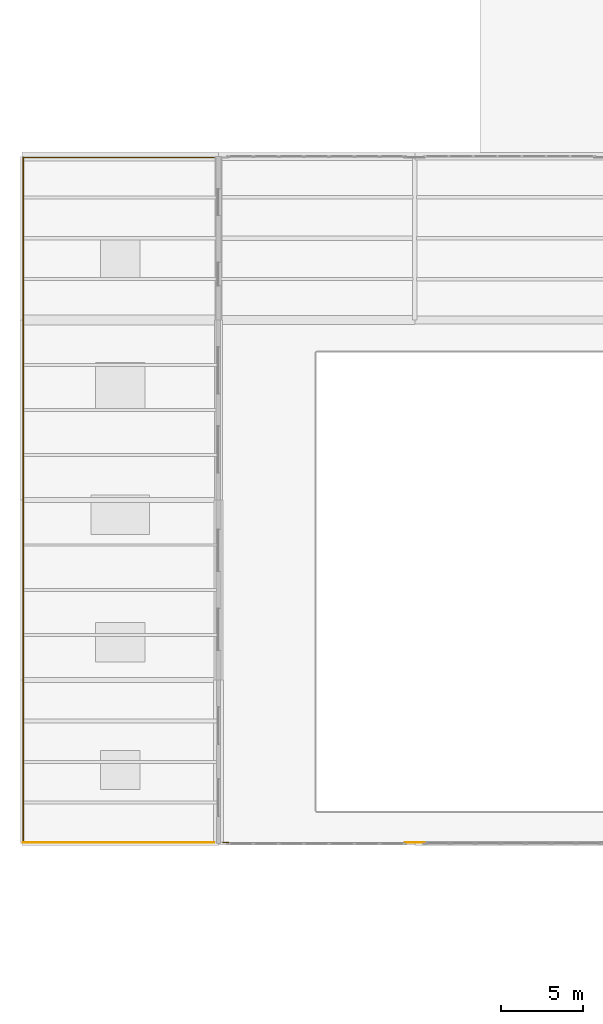
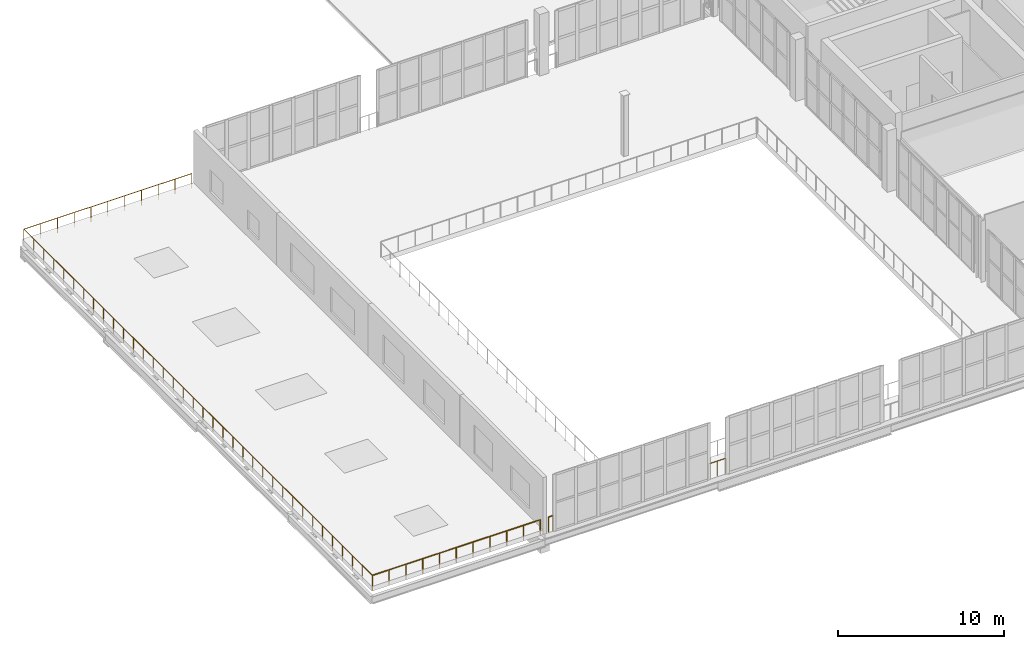
# One storey, part 74 of 90: 4 railings.
"""IFC4 building model written with IfcOpenShell, lengths in metres."""

from ifc_helpers import new_model, si_unit, direction, frame, origin, origin_2d, place, context, subcontext, project, spatial, circle, extrude, material, type_object, element, save


model = new_model("IFC4")

# Units and contexts
model_context = context("Model", 3, precision=1e-05, world=origin(), true_north=direction((0.0, 1.0)))
body_context = subcontext(model_context, "Body", "Model", "MODEL_VIEW")
ifc_project = project(units=[si_unit("LENGTHUNIT", "METRE"), si_unit("AREAUNIT", "SQUARE_METRE"), si_unit("VOLUMEUNIT", "CUBIC_METRE"), si_unit("PLANEANGLEUNIT", "RADIAN"), si_unit("MASSUNIT", "GRAM", prefix="KILO")], contexts=[model_context])

# Site, building, storey
site_placement = place(None, origin())
site = spatial("IfcSite", under=ifc_project, at=site_placement, CompositionType="ELEMENT")
building_placement = place(site_placement, origin())
building = spatial("IfcBuilding", under=site, at=building_placement, Name="Brinegate Civic Arena", CompositionType="ELEMENT")
storey_placement = place(building_placement, frame((0.0, 0.0, 14.699951171875)))
storey = spatial("IfcBuildingStorey", under=building, at=storey_placement, Name="L03", CompositionType="ELEMENT", Elevation=14.699951171875)

# Railings
ifc_material = material(Name="Architectural stainless steel balustrade", Category="steel")
railing_type = type_object("IfcRailingType", Name="RAIL-VOID-BALUSTRADE-1120", PredefinedType="BALUSTRADE", material=ifc_material)
railing_1_placement = place(storey_placement, frame((24.60009765625, 10.070068359375, 0.0)))
element("IfcRailing", 1, at=railing_1_placement, inside=storey, type_object=railing_type, Name="Deck Edge Balustrade L03-298", PredefinedType="BALUSTRADE", context=body_context, shape_type="SweptSolid", body=[
    extrude(circle(Radius=0.02392578125, at=origin_2d()), frame((-0.00146484375, 0.0, 1.09619140625), z_axis=(-1.0, 0.0, 0.0), x_axis=(0.0, -1.0, 0.0)), (0.0, 0.0, 1.0), 1.197265625),
    extrude(circle(Radius=0.02099609375, at=origin_2d()), origin(), (0.0, 0.0, 1.0), 1.070068359375),
    extrude(circle(Radius=0.02099609375, at=origin_2d()), frame((-0.60009765625, 0.0, 0.0)), (0.0, 0.0, 1.0), 1.070068359375),
    extrude(circle(Radius=0.02099609375, at=origin_2d()), frame((-1.2001953125, 0.0, 0.0)), (0.0, 0.0, 1.0), 1.070068359375),
])
railing_2_placement = place(storey_placement, frame((12.60009765625, 10.070068359375, 0.0)))
element("IfcRailing", 2, at=railing_2_placement, inside=storey, type_object=railing_type, Name="Deck Edge Balustrade L03-299", PredefinedType="BALUSTRADE", context=body_context, shape_type="SweptSolid", body=[
    extrude(circle(Radius=0.02392578125, at=origin_2d()), frame((-0.00146484375, 0.0, 1.09619140625), z_axis=(-1.0, 0.0, 0.0), x_axis=(0.0, -1.0, 0.0)), (0.0, 0.0, 1.0), 0.317138671875),
    extrude(circle(Radius=0.02099609375, at=origin_2d()), origin(), (0.0, 0.0, 1.0), 1.070068359375),
    extrude(circle(Radius=0.02099609375, at=origin_2d()), frame((-0.320068359375, 0.0, 0.0)), (0.0, 0.0, 1.0), 1.070068359375),
])
railing_3_placement = place(storey_placement, frame((0.070068359375, 10.070068359375, 0.0)))
element("IfcRailing", 3, at=railing_3_placement, inside=storey, type_object=railing_type, Name="Deck Edge Balustrade L03-330", PredefinedType="BALUSTRADE", context=body_context, shape_type="SweptSolid", body=[
    extrude(circle(Radius=0.02392578125, at=origin_2d()), frame((0.0, 0.00146484375, 1.09619140625), z_axis=(0.0, 1.0, 0.0), x_axis=(-1.0, 0.0, 0.0)), (0.0, 0.0, 1.0), 41.85693359375),
    extrude(circle(Radius=0.02392578125, at=origin_2d()), frame((0.00146484375, 41.85986328125, 1.09619140625), z_axis=(1.0, 0.0, 0.0), x_axis=(0.0, 1.0, 0.0)), (0.0, 0.0, 1.0), 11.64697265625),
    extrude(circle(Radius=0.02099609375, at=origin_2d()), origin(), (0.0, 0.0, 1.0), 1.070068359375),
    extrude(circle(Radius=0.02099609375, at=origin_2d()), frame((0.0, 1.196044921875, 0.0)), (0.0, 0.0, 1.0), 1.070068359375),
    extrude(circle(Radius=0.02099609375, at=origin_2d()), frame((0.0, 2.39208984375, 0.0)), (0.0, 0.0, 1.0), 1.070068359375),
    extrude(circle(Radius=0.02099609375, at=origin_2d()), frame((0.0, 3.587890625, 0.0)), (0.0, 0.0, 1.0), 1.070068359375),
    extrude(circle(Radius=0.02099609375, at=origin_2d()), frame((0.0, 4.783935546875, 0.0)), (0.0, 0.0, 1.0), 1.070068359375),
    extrude(circle(Radius=0.02099609375, at=origin_2d()), frame((0.0, 5.97998046875, 0.0)), (0.0, 0.0, 1.0), 1.070068359375),
    extrude(circle(Radius=0.02099609375, at=origin_2d()), frame((0.0, 7.176025390625, 0.0)), (0.0, 0.0, 1.0), 1.070068359375),
    extrude(circle(Radius=0.02099609375, at=origin_2d()), frame((0.0, 8.3720703125, 0.0)), (0.0, 0.0, 1.0), 1.070068359375),
    extrude(circle(Radius=0.02099609375, at=origin_2d()), frame((0.0, 9.56787109375, 0.0)), (0.0, 0.0, 1.0), 1.070068359375),
    extrude(circle(Radius=0.02099609375, at=origin_2d()), frame((0.0, 10.763916015625, 0.0)), (0.0, 0.0, 1.0), 1.070068359375),
    extrude(circle(Radius=0.02099609375, at=origin_2d()), frame((0.0, 11.9599609375, 0.0)), (0.0, 0.0, 1.0), 1.070068359375),
    extrude(circle(Radius=0.02099609375, at=origin_2d()), frame((0.0, 13.156005859375, 0.0)), (0.0, 0.0, 1.0), 1.070068359375),
    extrude(circle(Radius=0.02099609375, at=origin_2d()), frame((0.0, 14.35205078125, 0.0)), (0.0, 0.0, 1.0), 1.070068359375),
    extrude(circle(Radius=0.02099609375, at=origin_2d()), frame((0.0, 15.5478515625, 0.0)), (0.0, 0.0, 1.0), 1.070068359375),
    extrude(circle(Radius=0.02099609375, at=origin_2d()), frame((0.0, 16.743896484375, 0.0)), (0.0, 0.0, 1.0), 1.070068359375),
    extrude(circle(Radius=0.02099609375, at=origin_2d()), frame((0.0, 17.93994140625, 0.0)), (0.0, 0.0, 1.0), 1.070068359375),
    extrude(circle(Radius=0.02099609375, at=origin_2d()), frame((0.0, 19.135986328125, 0.0)), (0.0, 0.0, 1.0), 1.070068359375),
    extrude(circle(Radius=0.02099609375, at=origin_2d()), frame((0.0, 20.33203125, 0.0)), (0.0, 0.0, 1.0), 1.070068359375),
    extrude(circle(Radius=0.02099609375, at=origin_2d()), frame((0.0, 21.52783203125, 0.0)), (0.0, 0.0, 1.0), 1.070068359375),
    extrude(circle(Radius=0.02099609375, at=origin_2d()), frame((0.0, 22.723876953125, 0.0)), (0.0, 0.0, 1.0), 1.070068359375),
    extrude(circle(Radius=0.02099609375, at=origin_2d()), frame((0.0, 23.919921875, 0.0)), (0.0, 0.0, 1.0), 1.070068359375),
    extrude(circle(Radius=0.02099609375, at=origin_2d()), frame((0.0, 25.115966796875, 0.0)), (0.0, 0.0, 1.0), 1.070068359375),
    extrude(circle(Radius=0.02099609375, at=origin_2d()), frame((0.0, 26.31201171875, 0.0)), (0.0, 0.0, 1.0), 1.070068359375),
    extrude(circle(Radius=0.02099609375, at=origin_2d()), frame((0.0, 27.5078125, 0.0)), (0.0, 0.0, 1.0), 1.070068359375),
    extrude(circle(Radius=0.02099609375, at=origin_2d()), frame((0.0, 28.703857421875, 0.0)), (0.0, 0.0, 1.0), 1.070068359375),
    extrude(circle(Radius=0.02099609375, at=origin_2d()), frame((0.0, 29.89990234375, 0.0)), (0.0, 0.0, 1.0), 1.070068359375),
    extrude(circle(Radius=0.02099609375, at=origin_2d()), frame((0.0, 31.095947265625, 0.0)), (0.0, 0.0, 1.0), 1.070068359375),
    extrude(circle(Radius=0.02099609375, at=origin_2d()), frame((0.0, 32.2919921875, 0.0)), (0.0, 0.0, 1.0), 1.070068359375),
    extrude(circle(Radius=0.02099609375, at=origin_2d()), frame((0.0, 33.48779296875, 0.0)), (0.0, 0.0, 1.0), 1.070068359375),
    extrude(circle(Radius=0.02099609375, at=origin_2d()), frame((0.0, 34.683837890625, 0.0)), (0.0, 0.0, 1.0), 1.070068359375),
    extrude(circle(Radius=0.02099609375, at=origin_2d()), frame((0.0, 35.8798828125, 0.0)), (0.0, 0.0, 1.0), 1.070068359375),
    extrude(circle(Radius=0.02099609375, at=origin_2d()), frame((0.0, 37.075927734375, 0.0)), (0.0, 0.0, 1.0), 1.070068359375),
    extrude(circle(Radius=0.02099609375, at=origin_2d()), frame((0.0, 38.27197265625, 0.0)), (0.0, 0.0, 1.0), 1.070068359375),
    extrude(circle(Radius=0.02099609375, at=origin_2d()), frame((0.0, 39.4677734375, 0.0)), (0.0, 0.0, 1.0), 1.070068359375),
    extrude(circle(Radius=0.02099609375, at=origin_2d()), frame((0.0, 40.663818359375, 0.0)), (0.0, 0.0, 1.0), 1.070068359375),
    extrude(circle(Radius=0.02099609375, at=origin_2d()), frame((0.0, 41.85986328125, 0.0)), (0.0, 0.0, 1.0), 1.070068359375),
    extrude(circle(Radius=0.02099609375, at=origin_2d()), frame((1.1650390625, 41.85986328125, 0.0)), (0.0, 0.0, 1.0), 1.070068359375),
    extrude(circle(Radius=0.02099609375, at=origin_2d()), frame((2.330078125, 41.85986328125, 0.0)), (0.0, 0.0, 1.0), 1.070068359375),
    extrude(circle(Radius=0.02099609375, at=origin_2d()), frame((3.494873046875, 41.85986328125, 0.0)), (0.0, 0.0, 1.0), 1.070068359375),
    extrude(circle(Radius=0.02099609375, at=origin_2d()), frame((4.659912109375, 41.85986328125, 0.0)), (0.0, 0.0, 1.0), 1.070068359375),
    extrude(circle(Radius=0.02099609375, at=origin_2d()), frame((5.824951171875, 41.85986328125, 0.0)), (0.0, 0.0, 1.0), 1.070068359375),
    extrude(circle(Radius=0.02099609375, at=origin_2d()), frame((6.989990234375, 41.85986328125, 0.0)), (0.0, 0.0, 1.0), 1.070068359375),
    extrude(circle(Radius=0.02099609375, at=origin_2d()), frame((8.155029296875, 41.85986328125, 0.0)), (0.0, 0.0, 1.0), 1.070068359375),
    extrude(circle(Radius=0.02099609375, at=origin_2d()), frame((9.31982421875, 41.85986328125, 0.0)), (0.0, 0.0, 1.0), 1.070068359375),
    extrude(circle(Radius=0.02099609375, at=origin_2d()), frame((10.48486328125, 41.85986328125, 0.0)), (0.0, 0.0, 1.0), 1.070068359375),
    extrude(circle(Radius=0.02099609375, at=origin_2d()), frame((11.64990234375, 41.85986328125, 0.0)), (0.0, 0.0, 1.0), 1.070068359375),
])
railing_4_placement = place(storey_placement, frame((11.719970703125, 10.070068359375, 0.0)))
element("IfcRailing", 4, at=railing_4_placement, inside=storey, type_object=railing_type, Name="Deck Edge Balustrade L03-331", PredefinedType="BALUSTRADE", context=body_context, shape_type="SweptSolid", body=[
    extrude(circle(Radius=0.02392578125, at=origin_2d()), frame((-0.00146484375, 0.0, 1.09619140625), z_axis=(-1.0, 0.0, 0.0), x_axis=(0.0, -1.0, 0.0)), (0.0, 0.0, 1.0), 11.64697265625),
    extrude(circle(Radius=0.02099609375, at=origin_2d()), origin(), (0.0, 0.0, 1.0), 1.070068359375),
    extrude(circle(Radius=0.02099609375, at=origin_2d()), frame((-1.1650390625, 0.0, 0.0)), (0.0, 0.0, 1.0), 1.070068359375),
    extrude(circle(Radius=0.02099609375, at=origin_2d()), frame((-2.330078125, 0.0, 0.0)), (0.0, 0.0, 1.0), 1.070068359375),
    extrude(circle(Radius=0.02099609375, at=origin_2d()), frame((-3.494873046875, 0.0, 0.0)), (0.0, 0.0, 1.0), 1.070068359375),
    extrude(circle(Radius=0.02099609375, at=origin_2d()), frame((-4.659912109375, 0.0, 0.0)), (0.0, 0.0, 1.0), 1.070068359375),
    extrude(circle(Radius=0.02099609375, at=origin_2d()), frame((-5.824951171875, 0.0, 0.0)), (0.0, 0.0, 1.0), 1.070068359375),
    extrude(circle(Radius=0.02099609375, at=origin_2d()), frame((-6.989990234375, 0.0, 0.0)), (0.0, 0.0, 1.0), 1.070068359375),
    extrude(circle(Radius=0.02099609375, at=origin_2d()), frame((-8.155029296875, 0.0, 0.0)), (0.0, 0.0, 1.0), 1.070068359375),
    extrude(circle(Radius=0.02099609375, at=origin_2d()), frame((-9.31982421875, 0.0, 0.0)), (0.0, 0.0, 1.0), 1.070068359375),
    extrude(circle(Radius=0.02099609375, at=origin_2d()), frame((-10.48486328125, 0.0, 0.0)), (0.0, 0.0, 1.0), 1.070068359375),
    extrude(circle(Radius=0.02099609375, at=origin_2d()), frame((-11.64990234375, 0.0, 0.0)), (0.0, 0.0, 1.0), 1.070068359375),
])

save(model, "model.ifc")
